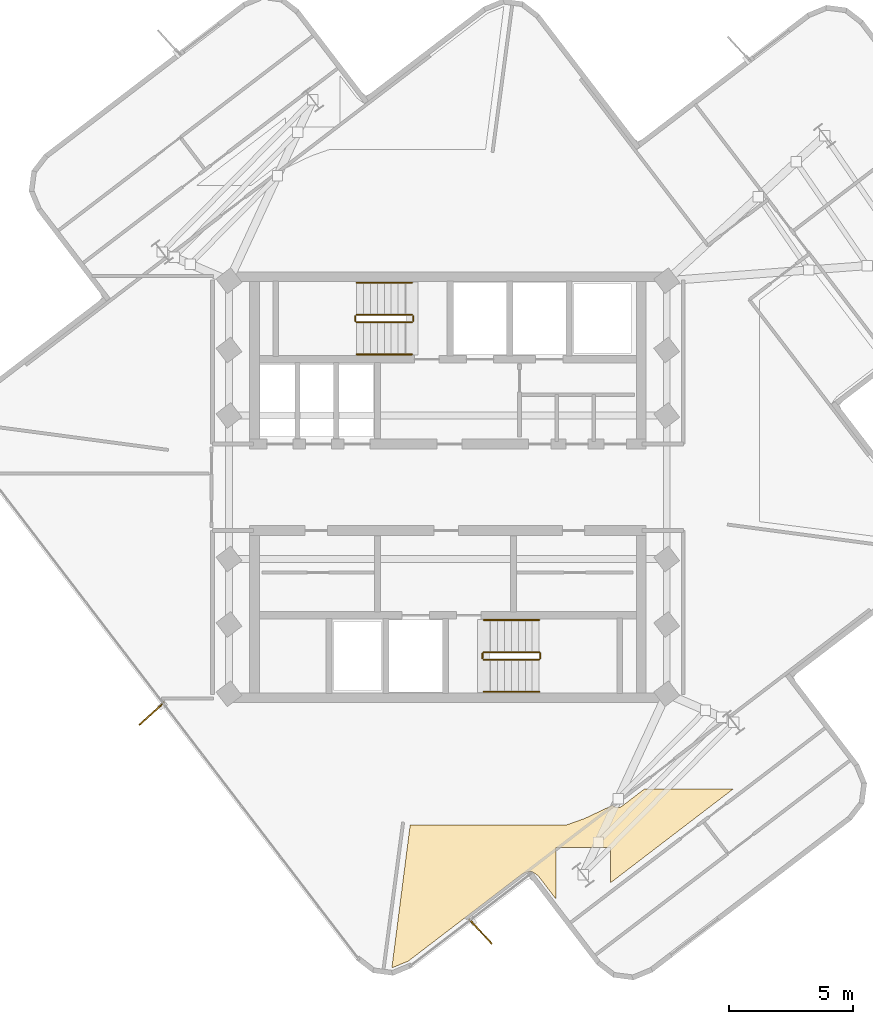
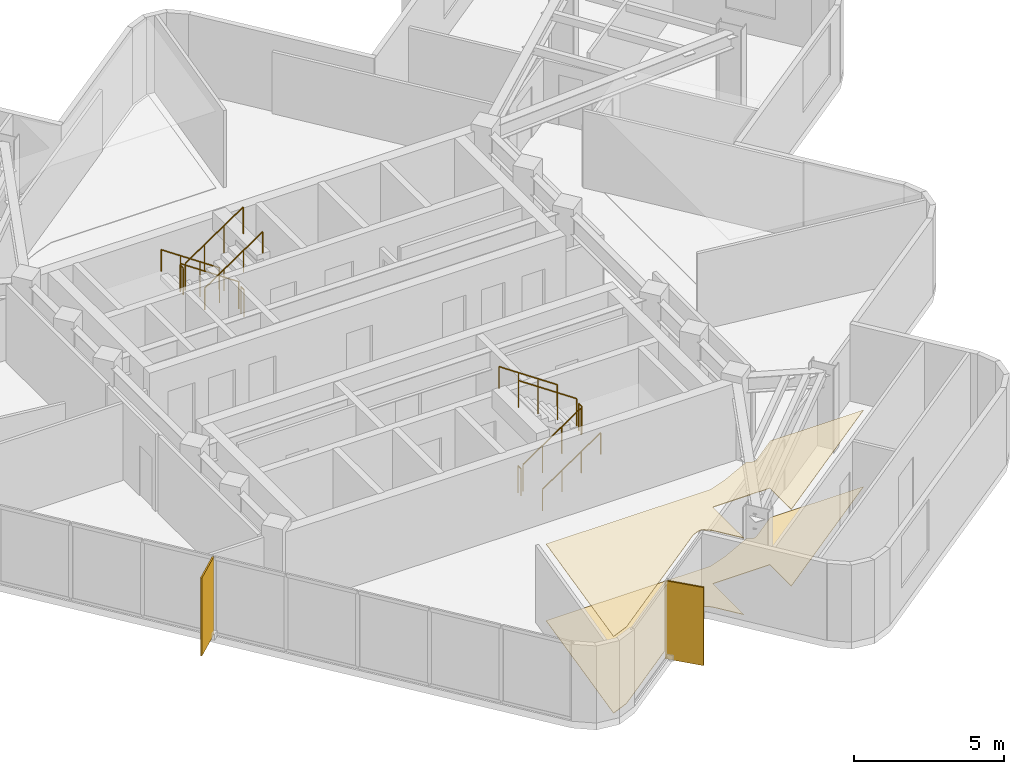
# One storey, part 8 of 9: 12 railings, 2 coverings, 2 shading devices.
"""IFC4 building model written with IfcOpenShell, lengths in metres."""

from ifc_helpers import new_model, si_unit, direction, frame, origin, origin_2d, place, context, subcontext, project, spatial, polyline, rectangle, circle, outline, extrude, material, layer, layer_set, type_object, element, save


model = new_model("IFC4")

# Units and contexts
model_context = context("Model", 3, precision=1e-05, world=origin(), true_north=direction((0.0, 1.0)))
body_context = subcontext(model_context, "Body", "Model", "MODEL_VIEW")
ifc_project = project(units=[si_unit("LENGTHUNIT", "METRE"), si_unit("AREAUNIT", "SQUARE_METRE"), si_unit("VOLUMEUNIT", "CUBIC_METRE"), si_unit("PLANEANGLEUNIT", "RADIAN"), si_unit("MASSUNIT", "GRAM", prefix="KILO")], contexts=[model_context])

# Site, building, storey
site_placement = place(None, origin())
site = spatial("IfcSite", under=ifc_project, at=site_placement, CompositionType="ELEMENT")
building_placement = place(site_placement, origin())
building = spatial("IfcBuilding", under=site, at=building_placement, Name="Solmarez Civic Tower", CompositionType="ELEMENT")
storey_placement = place(building_placement, frame((0.0, 0.0, 229.139892578125)))
storey = spatial("IfcBuildingStorey", under=building, at=storey_placement, Name="L61", CompositionType="ELEMENT", Elevation=229.139892578125)

# Coverings
ifc_material_1 = material(Name="Perforated Mineral-Fibre Acoustic Ceiling")
ifc_layer_1 = layer(ifc_material_1, 0.02490234375)
ifc_layer_set_1 = layer_set([ifc_layer_1], Name="Perforated Mineral-Fibre Acoustic Ceiling")
covering_type_1 = type_object("IfcCoveringType", Name="COV-CEIL-ACOUSTIC", PredefinedType="CEILING", material=ifc_layer_set_1)
covering_1_placement = place(storey_placement, frame((0.0, 0.0, 3.114990234375)))
element("IfcCovering", 1, at=covering_1_placement, inside=storey, type_object=covering_type_1, Name="L61 Suspended Acoustic Ceiling 1", PredefinedType="CEILING", context=body_context, shape_type="SweptSolid", body=[
    extrude(outline(polyline([(3.47412109375, -15.58203125), (3.4990234375, -15.59912109375), (3.637939453125, -15.7060546875), (3.64306640625, -15.7099609375), (3.662109375, -15.72607421875), (3.6669921875, -15.73095703125), (3.679931640625, -15.74609375), (3.68505859375, -15.751953125), (3.69091796875, -15.759033203125), (4.367919921875, -16.64501953125), (4.367919921875, -14.571044921875), (6.568115234375, -14.571044921875), (6.568115234375, -16.0), (11.5380859375, -12.199951171875), (7.949951171875, -12.199951171875), (7.028076171875, -12.905029296875), (7.010986328125, -12.9169921875), (6.991943359375, -12.927001953125), (6.98388671875, -12.930908203125), (6.967041015625, -12.93896484375), (6.947998046875, -12.945068359375), (6.928955078125, -12.949951171875), (6.924072265625, -12.950927734375), (6.9189453125, -12.951904296875), (6.9140625, -12.952880859375), (6.89306640625, -12.9560546875), (6.87109375, -12.95703125), (6.865966796875, -12.95703125), (6.842041015625, -12.9560546875), (6.8330078125, -12.955078125), (6.81298828125, -12.951904296875), (6.7939453125, -12.947021484375), (6.784912109375, -12.944091796875), (6.76611328125, -12.93701171875), (6.748046875, -12.928955078125), (6.72998046875, -12.919921875), (6.721923828125, -12.9150390625), (6.701904296875, -12.89990234375), (6.68310546875, -12.884033203125), (6.676025390625, -12.876953125), (6.672119140625, -12.873046875), (6.660888671875, -12.85888671875), (5.552978515625, -13.384033203125), (5.532958984375, -13.39208984375), (4.85107421875, -13.635986328125), (4.844970703125, -13.637939453125), (4.818115234375, -13.64501953125), (4.81298828125, -13.64599609375), (4.7919921875, -13.64892578125), (4.77001953125, -13.64990234375), (-1.52294921875, -13.64990234375), (-2.262939453125, -19.430908203125), (-2.256103515625, -19.431884765625), (-1.60205078125, -19.162109375), (2.97412109375, -15.6630859375), (2.986083984375, -15.655029296875), (2.991943359375, -15.65087890625), (3.01611328125, -15.636962890625), (3.02197265625, -15.634033203125), (3.028076171875, -15.631103515625), (3.0419921875, -15.625), (3.200927734375, -15.55908203125), (3.22509765625, -15.550048828125), (3.23193359375, -15.548095703125), (3.239013671875, -15.547119140625), (3.2470703125, -15.544921875), (3.26904296875, -15.5400390625), (3.280029296875, -15.5390625), (3.2880859375, -15.5380859375), (3.305908203125, -15.535888671875), (3.323974609375, -15.535888671875), (3.342041015625, -15.5380859375), (3.35400390625, -15.5390625), (3.35888671875, -15.5400390625), (3.364990234375, -15.541015625), (3.385986328125, -15.5439453125), (3.405029296875, -15.550048828125), (3.425048828125, -15.556884765625), (3.431884765625, -15.56005859375), (3.43896484375, -15.56298828125), (3.45703125, -15.572021484375), (3.47412109375, -15.58203125)])), origin(), (0.0, 0.0, 1.0), 0.025146484375),
])
ifc_material_2 = material(Name="Polished Tropical Stone Terrazzo Flooring", Category="masonry")
ifc_layer_2 = layer(ifc_material_2, 0.02001953125)
ifc_layer_set_2 = layer_set([ifc_layer_2], Name="Polished Tropical Stone Terrazzo Flooring")
covering_type_2 = type_object("IfcCoveringType", Name="COV-FLOOR-TERRAZZO", PredefinedType="FLOORING", material=ifc_layer_set_2)
covering_2_placement = place(storey_placement, origin())
element("IfcCovering", 2, at=covering_2_placement, inside=storey, type_object=covering_type_2, Name="L61 Terrazzo Floor Finish 1", PredefinedType="FLOORING", context=body_context, shape_type="SweptSolid", body=[
    extrude(outline(polyline([(3.47412109375, -15.58203125), (3.4990234375, -15.59912109375), (3.637939453125, -15.7060546875), (3.64306640625, -15.7099609375), (3.662109375, -15.72607421875), (3.6669921875, -15.73095703125), (3.679931640625, -15.74609375), (3.68505859375, -15.751953125), (3.69091796875, -15.759033203125), (4.367919921875, -16.64501953125), (4.367919921875, -14.571044921875), (6.568115234375, -14.571044921875), (6.568115234375, -16.0), (11.5380859375, -12.199951171875), (7.949951171875, -12.199951171875), (7.028076171875, -12.905029296875), (7.010986328125, -12.9169921875), (6.991943359375, -12.927001953125), (6.98388671875, -12.930908203125), (6.967041015625, -12.93896484375), (6.947998046875, -12.945068359375), (6.928955078125, -12.949951171875), (6.924072265625, -12.950927734375), (6.9189453125, -12.951904296875), (6.9140625, -12.952880859375), (6.89306640625, -12.9560546875), (6.87109375, -12.95703125), (6.865966796875, -12.95703125), (6.842041015625, -12.9560546875), (6.8330078125, -12.955078125), (6.81298828125, -12.951904296875), (6.7939453125, -12.947021484375), (6.784912109375, -12.944091796875), (6.76611328125, -12.93701171875), (6.748046875, -12.928955078125), (6.72998046875, -12.919921875), (6.721923828125, -12.9150390625), (6.701904296875, -12.89990234375), (6.68310546875, -12.884033203125), (6.676025390625, -12.876953125), (6.672119140625, -12.873046875), (6.660888671875, -12.85888671875), (5.552978515625, -13.384033203125), (5.532958984375, -13.39208984375), (4.85107421875, -13.635986328125), (4.844970703125, -13.637939453125), (4.818115234375, -13.64501953125), (4.81298828125, -13.64599609375), (4.7919921875, -13.64892578125), (4.77001953125, -13.64990234375), (-1.52294921875, -13.64990234375), (-2.262939453125, -19.430908203125), (-2.256103515625, -19.431884765625), (-1.60205078125, -19.162109375), (2.97412109375, -15.6630859375), (2.986083984375, -15.655029296875), (2.991943359375, -15.65087890625), (3.01611328125, -15.636962890625), (3.02197265625, -15.634033203125), (3.028076171875, -15.631103515625), (3.0419921875, -15.625), (3.200927734375, -15.55908203125), (3.22509765625, -15.550048828125), (3.23193359375, -15.548095703125), (3.239013671875, -15.547119140625), (3.2470703125, -15.544921875), (3.26904296875, -15.5400390625), (3.280029296875, -15.5390625), (3.2880859375, -15.5380859375), (3.305908203125, -15.535888671875), (3.323974609375, -15.535888671875), (3.342041015625, -15.5380859375), (3.35400390625, -15.5390625), (3.35888671875, -15.5400390625), (3.364990234375, -15.541015625), (3.385986328125, -15.5439453125), (3.405029296875, -15.550048828125), (3.425048828125, -15.556884765625), (3.431884765625, -15.56005859375), (3.43896484375, -15.56298828125), (3.45703125, -15.572021484375), (3.47412109375, -15.58203125)])), origin(), (0.0, 0.0, 1.0), 0.02001953125),
])

# Shading devices
ifc_material_3 = material(Name="Bronze Anodised Aluminium EN AW-6063 T6", Category="aluminium")
ifc_layer_3 = layer(ifc_material_3, 0.054931640625)
ifc_layer_set_3 = layer_set([ifc_layer_3], Name="Bronze Anodised Aluminium EN AW-6063 T6")
shading_device_type = type_object("IfcShadingDeviceType", Name="FIN-BRONZE-Z56", PredefinedType="USERDEFINED", material=ifc_layer_set_3)
for number, where, z_axis, x_axis, name in (
    (3, (1.322021484375, -17.964111328125, -0.0400390625), (0.0, 0.0, 1.0), (0.673993004987, -0.738737726957, 0.0), "L61 Anodised Bronze Solar Fin FIN-L61-01"),
    (4, (-11.97607421875, -9.156005859375, -0.0400390625), (0.0, 0.0, 1.0), (-0.738855349675, -0.673864060665, 0.0), "L61 Anodised Bronze Solar Fin FIN-L61-02"),
):
    element("IfcShadingDevice", number, at=place(storey_placement, frame(where, z_axis=z_axis, x_axis=x_axis)), inside=storey, type_object=shading_device_type, Name=name, ObjectType="FIN", PredefinedType="USERDEFINED", context=body_context, shape_type="SweptSolid", body=[
        extrude(rectangle(XDim=1.35009765625, YDim=0.054931640625, at=origin_2d()), origin(), (0.0, 0.0, 1.0), 3.179931640625),
    ])

# Railings
ifc_material_4 = material(Name="Painted Steel Stairwell Safety Guard", Category="steel")
railing_type_1 = type_object("IfcRailingType", Name="GUARD-STAIR-1120", PredefinedType="BALUSTRADE", material=ifc_material_4)
railing_1_placement = place(storey_placement, frame((-1.449951171875, 6.969970703125, 0.190185546875)))
element("IfcRailing", 5, at=railing_1_placement, inside=storey, type_object=railing_type_1, Name="L61 ST-1 stair guard 1", PredefinedType="BALUSTRADE", context=body_context, shape_type="SweptSolid", body=[
    extrude(circle(Radius=0.02392578125, at=origin_2d()), frame((0.0, 0.0, 1.09619140625), z_axis=(-0.827471284677, 0.0, 0.561508034703), x_axis=(0.0, -1.0, 0.0)), (0.0, 0.0, 1.0), 2.70703125),
    extrude(circle(Radius=0.02099609375, at=origin_2d()), origin(), (0.0, 0.0, 1.0), 1.072021484375),
    extrude(circle(Radius=0.02099609375, at=origin_2d()), frame((-0.74658203125, 0.0, 0.506591796875)), (0.0, 0.0, 1.0), 1.072021484375),
    extrude(circle(Radius=0.02099609375, at=origin_2d()), frame((-1.493408203125, 0.0, 1.013427734375)), (0.0, 0.0, 1.0), 1.072021484375),
    extrude(circle(Radius=0.02099609375, at=origin_2d()), frame((-2.239990234375, 0.0, 1.52001953125)), (0.0, 0.0, 1.0), 1.072021484375),
])
railing_2_placement = place(storey_placement, frame((-3.739990234375, 6.919921875, 1.710205078125)))
element("IfcRailing", 6, at=railing_2_placement, inside=storey, type_object=railing_type_1, Name="L61 ST-1 stair guard 2", PredefinedType="BALUSTRADE", context=body_context, shape_type="SweptSolid", body=[
    extrude(circle(Radius=0.02392578125, at=origin_2d()), frame((0.0, 0.0, 1.09619140625), z_axis=(0.0, -1.0, 0.0), x_axis=(1.0, 0.0, 0.0)), (0.0, 0.0, 1.0), 0.199951171875),
    extrude(circle(Radius=0.02099609375, at=origin_2d()), origin(), (0.0, 0.0, 1.0), 1.072021484375),
    extrude(circle(Radius=0.02099609375, at=origin_2d()), frame((0.0, -0.199951171875, 0.0)), (0.0, 0.0, 1.0), 1.072021484375),
])
railing_3_placement = place(storey_placement, frame((-3.68994140625, 6.669921875, 1.900146484375)))
element("IfcRailing", 7, at=railing_3_placement, inside=storey, type_object=railing_type_1, Name="L61 ST-1 stair guard 3", PredefinedType="BALUSTRADE", context=body_context, shape_type="SweptSolid", body=[
    extrude(circle(Radius=0.02392578125, at=origin_2d()), frame((0.0, 0.0, 1.09619140625), z_axis=(0.827471284677, 0.0, 0.561508034703), x_axis=(0.0, 1.0, 0.0)), (0.0, 0.0, 1.0), 2.70703125),
    extrude(circle(Radius=0.02099609375, at=origin_2d()), origin(), (0.0, 0.0, 1.0), 1.072021484375),
    extrude(circle(Radius=0.02099609375, at=origin_2d()), frame((0.74658203125, 0.0, 0.506591796875)), (0.0, 0.0, 1.0), 1.072021484375),
    extrude(circle(Radius=0.02099609375, at=origin_2d()), frame((1.493408203125, 0.0, 1.013427734375)), (0.0, 0.0, 1.0), 1.072021484375),
    extrude(circle(Radius=0.02099609375, at=origin_2d()), frame((2.239990234375, 0.0, 1.52001953125)), (0.0, 0.0, 1.0), 1.072021484375),
])
railing_4_placement = place(storey_placement, frame((-1.39990234375, 6.919921875, 0.0)))
element("IfcRailing", 8, at=railing_4_placement, inside=storey, type_object=railing_type_1, Name="L61 ST-1 stair guard 4", PredefinedType="BALUSTRADE", context=body_context, shape_type="SweptSolid", body=[
    extrude(circle(Radius=0.02392578125, at=origin_2d()), frame((0.0, 0.0, 1.09619140625), z_axis=(0.0, -1.0, 0.0), x_axis=(1.0, 0.0, 0.0)), (0.0, 0.0, 1.0), 0.199951171875),
    extrude(circle(Radius=0.02099609375, at=origin_2d()), origin(), (0.0, 0.0, 1.0), 1.072021484375),
    extrude(circle(Radius=0.02099609375, at=origin_2d()), frame((0.0, -0.199951171875, 0.0)), (0.0, 0.0, 1.0), 1.072021484375),
])
railing_5_placement = place(storey_placement, frame((1.449951171875, -6.969970703125, 0.190185546875)))
element("IfcRailing", 9, at=railing_5_placement, inside=storey, type_object=railing_type_1, Name="L61 ST-2 stair guard 1", PredefinedType="BALUSTRADE", context=body_context, shape_type="SweptSolid", body=[
    extrude(circle(Radius=0.02392578125, at=origin_2d()), frame((0.0, 0.0, 1.09619140625), z_axis=(0.827471284677, 0.0, 0.561508034703), x_axis=(0.0, 1.0, 0.0)), (0.0, 0.0, 1.0), 2.70703125),
    extrude(circle(Radius=0.02099609375, at=origin_2d()), origin(), (0.0, 0.0, 1.0), 1.072021484375),
    extrude(circle(Radius=0.02099609375, at=origin_2d()), frame((0.74658203125, 0.0, 0.506591796875)), (0.0, 0.0, 1.0), 1.072021484375),
    extrude(circle(Radius=0.02099609375, at=origin_2d()), frame((1.493408203125, 0.0, 1.013427734375)), (0.0, 0.0, 1.0), 1.072021484375),
    extrude(circle(Radius=0.02099609375, at=origin_2d()), frame((2.239990234375, 0.0, 1.52001953125)), (0.0, 0.0, 1.0), 1.072021484375),
])
railing_6_placement = place(storey_placement, frame((3.739990234375, -6.919921875, 1.710205078125)))
element("IfcRailing", 10, at=railing_6_placement, inside=storey, type_object=railing_type_1, Name="L61 ST-2 stair guard 2", PredefinedType="BALUSTRADE", context=body_context, shape_type="SweptSolid", body=[
    extrude(circle(Radius=0.02392578125, at=origin_2d()), frame((0.0, 0.0, 1.09619140625), z_axis=(0.0, 1.0, 0.0), x_axis=(-1.0, 0.0, 0.0)), (0.0, 0.0, 1.0), 0.199951171875),
    extrude(circle(Radius=0.02099609375, at=origin_2d()), origin(), (0.0, 0.0, 1.0), 1.072021484375),
    extrude(circle(Radius=0.02099609375, at=origin_2d()), frame((0.0, 0.199951171875, 0.0)), (0.0, 0.0, 1.0), 1.072021484375),
])
railing_7_placement = place(storey_placement, frame((3.68994140625, -6.669921875, 1.900146484375)))
element("IfcRailing", 11, at=railing_7_placement, inside=storey, type_object=railing_type_1, Name="L61 ST-2 stair guard 3", PredefinedType="BALUSTRADE", context=body_context, shape_type="SweptSolid", body=[
    extrude(circle(Radius=0.02392578125, at=origin_2d()), frame((0.0, 0.0, 1.09619140625), z_axis=(-0.827471284677, 0.0, 0.561508034703), x_axis=(0.0, -1.0, 0.0)), (0.0, 0.0, 1.0), 2.70703125),
    extrude(circle(Radius=0.02099609375, at=origin_2d()), origin(), (0.0, 0.0, 1.0), 1.072021484375),
    extrude(circle(Radius=0.02099609375, at=origin_2d()), frame((-0.74658203125, 0.0, 0.506591796875)), (0.0, 0.0, 1.0), 1.072021484375),
    extrude(circle(Radius=0.02099609375, at=origin_2d()), frame((-1.493408203125, 0.0, 1.013427734375)), (0.0, 0.0, 1.0), 1.072021484375),
    extrude(circle(Radius=0.02099609375, at=origin_2d()), frame((-2.239990234375, 0.0, 1.52001953125)), (0.0, 0.0, 1.0), 1.072021484375),
])
railing_8_placement = place(storey_placement, frame((1.39990234375, -6.919921875, 0.0)))
element("IfcRailing", 12, at=railing_8_placement, inside=storey, type_object=railing_type_1, Name="L61 ST-2 stair guard 4", PredefinedType="BALUSTRADE", context=body_context, shape_type="SweptSolid", body=[
    extrude(circle(Radius=0.02392578125, at=origin_2d()), frame((0.0, 0.0, 1.09619140625), z_axis=(0.0, 1.0, 0.0), x_axis=(-1.0, 0.0, 0.0)), (0.0, 0.0, 1.0), 0.199951171875),
    extrude(circle(Radius=0.02099609375, at=origin_2d()), origin(), (0.0, 0.0, 1.0), 1.072021484375),
    extrude(circle(Radius=0.02099609375, at=origin_2d()), frame((0.0, 0.199951171875, 0.0)), (0.0, 0.0, 1.0), 1.072021484375),
])
ifc_material_5 = material(Name="Brushed Stainless Steel Tube Handrail", Category="steel")
railing_type_2 = type_object("IfcRailingType", Name="HANDRAIL-STAIR-900", PredefinedType="HANDRAIL", material=ifc_material_5)
railing_9_placement = place(storey_placement, frame((-1.449951171875, 8.27001953125, 0.190185546875)))
element("IfcRailing", 13, at=railing_9_placement, inside=storey, type_object=railing_type_2, Name="L61 ST-1 stair handrail 1", PredefinedType="HANDRAIL", context=body_context, shape_type="SweptSolid", body=[
    extrude(circle(Radius=0.02392578125, at=origin_2d()), frame((0.0, 0.0, 0.8759765625), z_axis=(-0.827471284677, 0.0, 0.561508034703), x_axis=(0.0, -1.0, 0.0)), (0.0, 0.0, 1.0), 2.70703125),
    extrude(circle(Radius=0.02099609375, at=origin_2d()), origin(), (0.0, 0.0, 1.0), 0.851806640625),
    extrude(circle(Radius=0.02099609375, at=origin_2d()), frame((-0.74658203125, 0.0, 0.506591796875)), (0.0, 0.0, 1.0), 0.851806640625),
    extrude(circle(Radius=0.02099609375, at=origin_2d()), frame((-1.493408203125, 0.0, 1.013427734375)), (0.0, 0.0, 1.0), 0.851806640625),
    extrude(circle(Radius=0.02099609375, at=origin_2d()), frame((-2.239990234375, 0.0, 1.52001953125)), (0.0, 0.0, 1.0), 0.851806640625),
])
for number, where, name in (
    (14, (-3.68994140625, 5.3701171875, 1.900146484375), "L61 ST-1 stair handrail 2"),
    (15, (1.449951171875, -8.27001953125, 0.190185546875), "L61 ST-2 stair handrail 1"),
):
    element("IfcRailing", number, at=place(storey_placement, frame(where)), inside=storey, type_object=railing_type_2, Name=name, PredefinedType="HANDRAIL", context=body_context, shape_type="SweptSolid", body=[
        extrude(circle(Radius=0.02392578125, at=origin_2d()), frame((0.0, 0.0, 0.8759765625), z_axis=(0.827471284677, 0.0, 0.561508034703), x_axis=(0.0, 1.0, 0.0)), (0.0, 0.0, 1.0), 2.70703125),
        extrude(circle(Radius=0.02099609375, at=origin_2d()), origin(), (0.0, 0.0, 1.0), 0.851806640625),
        extrude(circle(Radius=0.02099609375, at=origin_2d()), frame((0.74658203125, 0.0, 0.506591796875)), (0.0, 0.0, 1.0), 0.851806640625),
        extrude(circle(Radius=0.02099609375, at=origin_2d()), frame((1.493408203125, 0.0, 1.013427734375)), (0.0, 0.0, 1.0), 0.851806640625),
        extrude(circle(Radius=0.02099609375, at=origin_2d()), frame((2.239990234375, 0.0, 1.52001953125)), (0.0, 0.0, 1.0), 0.851806640625),
    ])
railing_10_placement = place(storey_placement, frame((3.68994140625, -5.3701171875, 1.900146484375)))
element("IfcRailing", 16, at=railing_10_placement, inside=storey, type_object=railing_type_2, Name="L61 ST-2 stair handrail 2", PredefinedType="HANDRAIL", context=body_context, shape_type="SweptSolid", body=[
    extrude(circle(Radius=0.02392578125, at=origin_2d()), frame((0.0, 0.0, 0.8759765625), z_axis=(-0.827471284677, 0.0, 0.561508034703), x_axis=(0.0, -1.0, 0.0)), (0.0, 0.0, 1.0), 2.70703125),
    extrude(circle(Radius=0.02099609375, at=origin_2d()), origin(), (0.0, 0.0, 1.0), 0.851806640625),
    extrude(circle(Radius=0.02099609375, at=origin_2d()), frame((-0.74658203125, 0.0, 0.506591796875)), (0.0, 0.0, 1.0), 0.851806640625),
    extrude(circle(Radius=0.02099609375, at=origin_2d()), frame((-1.493408203125, 0.0, 1.013427734375)), (0.0, 0.0, 1.0), 0.851806640625),
    extrude(circle(Radius=0.02099609375, at=origin_2d()), frame((-2.239990234375, 0.0, 1.52001953125)), (0.0, 0.0, 1.0), 0.851806640625),
])

save(model, "model.ifc")
